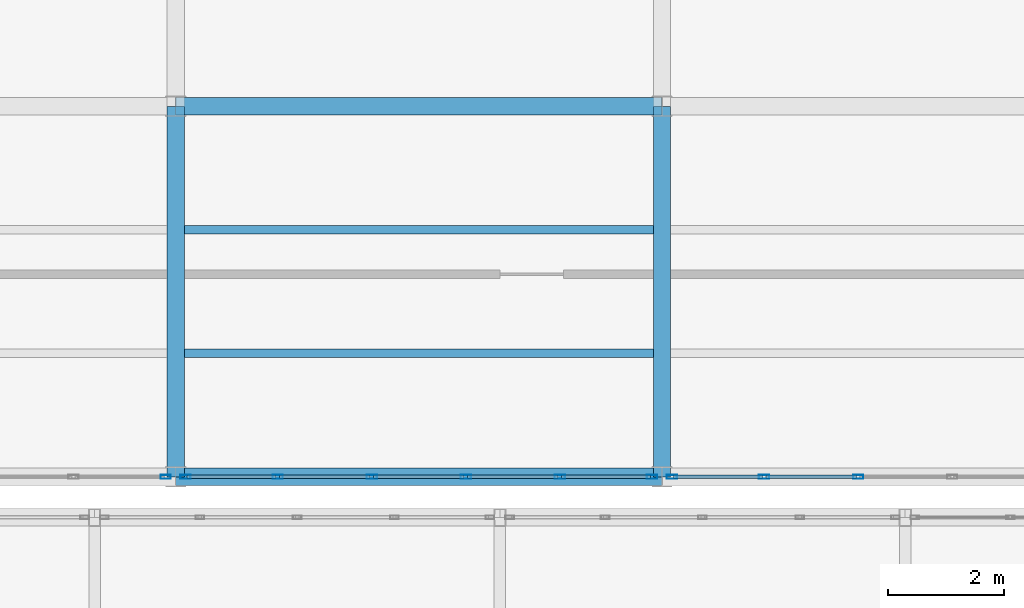
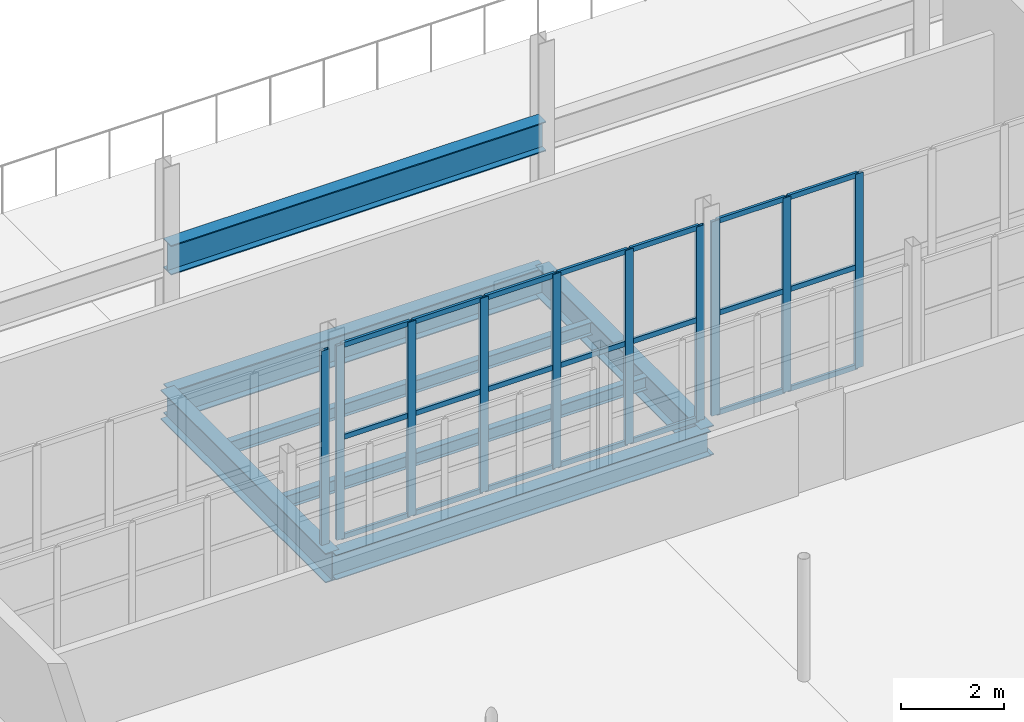
# One storey, part 75 of 218: 31 members, 7 beams, 3 elements without a shape of their own.
"""IFC4 building model written with IfcOpenShell, lengths in metres."""

from ifc_helpers import new_model, si_unit, direction, frame, origin, origin_2d, place, context, subcontext, project, spatial, hollow_rectangle, i_section, extrude, material, material_profile, profile_set, type_object, element, aggregate, save


model = new_model("IFC4")

# Units and contexts
model_context = context("Model", 3, precision=1e-05, world=origin(), true_north=direction((0.0, 1.0)))
body_context = subcontext(model_context, "Body", "Model", "MODEL_VIEW")
ifc_project = project(units=[si_unit("LENGTHUNIT", "METRE"), si_unit("AREAUNIT", "SQUARE_METRE"), si_unit("VOLUMEUNIT", "CUBIC_METRE"), si_unit("PLANEANGLEUNIT", "RADIAN"), si_unit("MASSUNIT", "GRAM", prefix="KILO")], contexts=[model_context])

# Site, building, storey
site_placement = place(None, origin())
site = spatial("IfcSite", under=ifc_project, at=site_placement, CompositionType="ELEMENT")
building_placement = place(site_placement, origin())
building = spatial("IfcBuilding", under=site, at=building_placement, Name="Kazenagashi Tramway Depot", CompositionType="ELEMENT")
storey_placement = place(building_placement, frame((0.0, 0.0, 6.0)))
storey = spatial("IfcBuildingStorey", under=building, at=storey_placement, Name="L02", CompositionType="ELEMENT", Elevation=6.0)

# Beams
ifc_material_1 = material(Name="Steel SN490B", Category="steel")
ifc_material_profile_1 = material_profile(ifc_material_1, i_section(OverallWidth=0.3, OverallDepth=0.7, WebThickness=0.013, FlangeThickness=0.024, at=origin_2d()), Name="H-700x300x13x24")
ifc_profile_set_1 = profile_set([ifc_material_profile_1], Name="Steel SN490B")
beam_type_1 = type_object("IfcBeamType", Name="G-02", PredefinedType="BEAM", material=ifc_profile_set_1)
beam_1_placement = place(storey_placement, frame((112.0, 22.9, -0.6), z_axis=(1.0, 0.0, 0.0), x_axis=(0.0, 1.0, 0.0)))
element("IfcBeam", 1, at=beam_1_placement, inside=storey, type_object=beam_type_1, Name="Beam G-02 BM-1014", PredefinedType="BEAM", context=body_context, shape_type="SweptSolid", body=[
    extrude(i_section(OverallWidth=0.3, OverallDepth=0.7, WebThickness=0.013, FlangeThickness=0.024, at=origin_2d()), origin(), (0.0, 0.0, 1.0), 8.4),
])
for number, where, z_axis, x_axis, name in (
    (2, (112.0, 16.5, -0.6), (0.0, 1.0, 0.0), (-1.0, 0.0, 0.0), "Beam G-02 BM-1077"),
    (3, (120.4, 16.5, -0.6), (0.0, 1.0, 0.0), (-1.0, 0.0, 0.0), "Beam G-02 BM-1083"),
):
    element("IfcBeam", number, at=place(storey_placement, frame(where, z_axis=z_axis, x_axis=x_axis)), inside=storey, type_object=beam_type_1, Name=name, PredefinedType="BEAM", context=body_context, shape_type="SweptSolid", body=[
        extrude(i_section(OverallWidth=0.3, OverallDepth=0.7, WebThickness=0.013, FlangeThickness=0.024, at=origin_2d()), origin(), (0.0, 0.0, 1.0), 6.4),
    ])
beam_2_placement = place(storey_placement, frame((112.0, 22.9, 2.85), z_axis=(1.0, 0.0, 0.0), x_axis=(0.0, 1.0, 0.0)))
element("IfcBeam", 4, at=beam_2_placement, inside=storey, type_object=beam_type_1, Name="Beam G-02 BM-1157", PredefinedType="BEAM", context=body_context, shape_type="SweptSolid", body=[
    extrude(i_section(OverallWidth=0.3, OverallDepth=0.7, WebThickness=0.013, FlangeThickness=0.024, at=origin_2d()), origin(), (0.0, 0.0, 1.0), 8.4),
])
ifc_material_2 = material(Name="Steel SN400B", Category="steel")
ifc_material_profile_2 = material_profile(ifc_material_2, i_section(OverallWidth=0.15, OverallDepth=0.3, WebThickness=0.0065, FlangeThickness=0.009, at=origin_2d()), Name="H-300x150x6.5x9")
ifc_profile_set_2 = profile_set([ifc_material_profile_2], Name="Steel SN400B")
beam_type_2 = type_object("IfcBeamType", Name="J-02", PredefinedType="JOIST", material=ifc_profile_set_2)
for number, where, z_axis, x_axis, name in (
    (5, (112.15, 18.633, -0.4), (1.0, 0.0, 0.0), (0.0, 1.0, 0.0), "Beam J-02 BM-1078"),
    (6, (112.15, 20.767, -0.4), (1.0, 0.0, 0.0), (0.0, 1.0, 0.0), "Beam J-02 BM-1079"),
):
    element("IfcBeam", number, at=place(storey_placement, frame(where, z_axis=z_axis, x_axis=x_axis)), inside=storey, type_object=beam_type_2, Name=name, PredefinedType="JOIST", context=body_context, shape_type="SweptSolid", body=[
        extrude(i_section(OverallWidth=0.15, OverallDepth=0.3, WebThickness=0.0065, FlangeThickness=0.009, at=origin_2d()), origin(), (0.0, 0.0, 1.0), 8.1),
    ])

# Curtain wall, member
ifc_material_3 = material(Name="Anodised Aluminium and Low-E Glazing", Category="aluminium")
curtain_wall_type = type_object("IfcCurtainWallType", Name="CW-20", PredefinedType="USERDEFINED", material=ifc_material_3)
curtain_wall_1_placement = place(storey_placement, origin())
curtain_wall_1 = element("IfcCurtainWall", 7, at=curtain_wall_1_placement, inside=storey, type_object=curtain_wall_type, Name="Industrial Glazed Screen CW-20 CW-0102", ObjectType="GLAZED SCREEN", PredefinedType="USERDEFINED")
ifc_material_4 = material(Name="Anodised Aluminium", Category="aluminium")
ifc_material_profile_3 = material_profile(ifc_material_4, hollow_rectangle(XDim=0.07, YDim=0.18, WallThickness=0.005, at=origin_2d()), Name="RHS-180x70x5")
ifc_profile_set_3 = profile_set([ifc_material_profile_3], Name="Anodised Aluminium")
member_type_1 = type_object("IfcMemberType", Name="ML-02", PredefinedType="MULLION", material=ifc_profile_set_3)
member_1_placement = place(storey_placement, frame((111.83, 16.5, 0.0), z_axis=(0.0, 0.0, 1.0), x_axis=(0.0, 1.0, 0.0)))
member_1 = element("IfcMember", 8, at=member_1_placement, type_object=member_type_1, Name="CW-20 mullion 6", PredefinedType="MULLION", context=body_context, shape_type="SweptSolid", body=[
    extrude(hollow_rectangle(XDim=0.07, YDim=0.18, WallThickness=0.005, at=origin_2d()), origin(), (0.0, 0.0, 1.0), 4.6),
])
aggregate(curtain_wall_1, [member_1])

# Curtain wall, members
curtain_wall_2_placement = place(storey_placement, origin())
curtain_wall_2 = element("IfcCurtainWall", 9, at=curtain_wall_2_placement, inside=storey, type_object=curtain_wall_type, Name="Industrial Glazed Screen CW-20 CW-0103", ObjectType="GLAZED SCREEN", PredefinedType="USERDEFINED")
member_2_placement = place(storey_placement, frame((112.17, 16.5, 0.0), z_axis=(0.0, 0.0, 1.0), x_axis=(0.0, 1.0, 0.0)))
member_2 = element("IfcMember", 10, at=member_2_placement, type_object=member_type_1, Name="CW-20 mullion 1", PredefinedType="MULLION", context=body_context, shape_type="SweptSolid", body=[
    extrude(hollow_rectangle(XDim=0.07, YDim=0.18, WallThickness=0.005, at=origin_2d()), origin(), (0.0, 0.0, 1.0), 4.6),
])
member_3_placement = place(storey_placement, frame((113.764, 16.5, 0.0), z_axis=(0.0, 0.0, 1.0), x_axis=(0.0, 1.0, 0.0)))
member_3 = element("IfcMember", 11, at=member_3_placement, type_object=member_type_1, Name="CW-20 mullion 2", PredefinedType="MULLION", context=body_context, shape_type="SweptSolid", body=[
    extrude(hollow_rectangle(XDim=0.07, YDim=0.18, WallThickness=0.005, at=origin_2d()), origin(), (0.0, 0.0, 1.0), 4.6),
])
member_4_placement = place(storey_placement, frame((115.388, 16.5, 0.0), z_axis=(0.0, 0.0, 1.0), x_axis=(0.0, 1.0, 0.0)))
member_4 = element("IfcMember", 12, at=member_4_placement, type_object=member_type_1, Name="CW-20 mullion 3", PredefinedType="MULLION", context=body_context, shape_type="SweptSolid", body=[
    extrude(hollow_rectangle(XDim=0.07, YDim=0.18, WallThickness=0.005, at=origin_2d()), origin(), (0.0, 0.0, 1.0), 4.6),
])
member_5_placement = place(storey_placement, frame((117.012, 16.5, 0.0), z_axis=(0.0, 0.0, 1.0), x_axis=(0.0, 1.0, 0.0)))
member_5 = element("IfcMember", 13, at=member_5_placement, type_object=member_type_1, Name="CW-20 mullion 4", PredefinedType="MULLION", context=body_context, shape_type="SweptSolid", body=[
    extrude(hollow_rectangle(XDim=0.07, YDim=0.18, WallThickness=0.005, at=origin_2d()), origin(), (0.0, 0.0, 1.0), 4.6),
])
member_6_placement = place(storey_placement, frame((118.636, 16.5, 0.0), z_axis=(0.0, 0.0, 1.0), x_axis=(0.0, 1.0, 0.0)))
member_6 = element("IfcMember", 14, at=member_6_placement, type_object=member_type_1, Name="CW-20 mullion 5", PredefinedType="MULLION", context=body_context, shape_type="SweptSolid", body=[
    extrude(hollow_rectangle(XDim=0.07, YDim=0.18, WallThickness=0.005, at=origin_2d()), origin(), (0.0, 0.0, 1.0), 4.6),
])
member_7_placement = place(storey_placement, frame((120.23, 16.5, 0.0), z_axis=(0.0, 0.0, 1.0), x_axis=(0.0, 1.0, 0.0)))
member_7 = element("IfcMember", 15, at=member_7_placement, type_object=member_type_1, Name="CW-20 mullion 6", PredefinedType="MULLION", context=body_context, shape_type="SweptSolid", body=[
    extrude(hollow_rectangle(XDim=0.07, YDim=0.18, WallThickness=0.005, at=origin_2d()), origin(), (0.0, 0.0, 1.0), 4.6),
])

curtain_wall_3_placement = place(storey_placement, origin())
curtain_wall_3 = element("IfcCurtainWall", 16, at=curtain_wall_3_placement, inside=storey, type_object=curtain_wall_type, Name="Industrial Glazed Screen CW-20 CW-0104", ObjectType="GLAZED SCREEN", PredefinedType="USERDEFINED")
member_8_placement = place(storey_placement, frame((120.57, 16.5, 0.0), z_axis=(0.0, 0.0, 1.0), x_axis=(0.0, 1.0, 0.0)))
member_8 = element("IfcMember", 17, at=member_8_placement, type_object=member_type_1, Name="CW-20 mullion 1", PredefinedType="MULLION", context=body_context, shape_type="SweptSolid", body=[
    extrude(hollow_rectangle(XDim=0.07, YDim=0.18, WallThickness=0.005, at=origin_2d()), origin(), (0.0, 0.0, 1.0), 4.6),
])
member_9_placement = place(storey_placement, frame((122.164, 16.5, 0.0), z_axis=(0.0, 0.0, 1.0), x_axis=(0.0, 1.0, 0.0)))
member_9 = element("IfcMember", 18, at=member_9_placement, type_object=member_type_1, Name="CW-20 mullion 2", PredefinedType="MULLION", context=body_context, shape_type="SweptSolid", body=[
    extrude(hollow_rectangle(XDim=0.07, YDim=0.18, WallThickness=0.005, at=origin_2d()), origin(), (0.0, 0.0, 1.0), 4.6),
])
member_10_placement = place(storey_placement, frame((123.788, 16.5, 0.0), z_axis=(0.0, 0.0, 1.0), x_axis=(0.0, 1.0, 0.0)))
member_10 = element("IfcMember", 19, at=member_10_placement, type_object=member_type_1, Name="CW-20 mullion 3", PredefinedType="MULLION", context=body_context, shape_type="SweptSolid", body=[
    extrude(hollow_rectangle(XDim=0.07, YDim=0.18, WallThickness=0.005, at=origin_2d()), origin(), (0.0, 0.0, 1.0), 4.6),
])

# Beam
ifc_material_profile_4 = material_profile(ifc_material_1, i_section(OverallWidth=0.3, OverallDepth=0.588, WebThickness=0.012, FlangeThickness=0.02, at=origin_2d()), Name="H-588x300x12x20")
ifc_profile_set_4 = profile_set([ifc_material_profile_4], Name="Steel SN490B")
beam_type_3 = type_object("IfcBeamType", Name="SP-01", PredefinedType="SPANDREL", material=ifc_profile_set_4)
beam_3_placement = place(storey_placement, frame((112.0, 16.5, -0.544), z_axis=(1.0, 0.0, 0.0), x_axis=(0.0, 1.0, 0.0)))
element("IfcBeam", 20, at=beam_3_placement, inside=storey, type_object=beam_type_3, Name="Beam SP-01 BM-1002", PredefinedType="SPANDREL", context=body_context, shape_type="SweptSolid", body=[
    extrude(i_section(OverallWidth=0.3, OverallDepth=0.588, WebThickness=0.012, FlangeThickness=0.02, at=origin_2d()), origin(), (0.0, 0.0, 1.0), 8.4),
])

# Member
ifc_material_profile_5 = material_profile(ifc_material_4, hollow_rectangle(XDim=0.06, YDim=0.12, WallThickness=0.004, at=origin_2d()), Name="RHS-120x60x4")
ifc_profile_set_5 = profile_set([ifc_material_profile_5], Name="Anodised Aluminium")
member_type_2 = type_object("IfcMemberType", Name="TR-01", PredefinedType="USERDEFINED", material=ifc_profile_set_5)
member_11_placement = place(storey_placement, frame((112.2, 16.5, 0.03), z_axis=(1.0, 0.0, 0.0), x_axis=(0.0, 1.0, 0.0)))
member_11 = element("IfcMember", 21, at=member_11_placement, type_object=member_type_2, Name="CW-20 transom 1.1", ObjectType="TRANSOM", PredefinedType="USERDEFINED", context=body_context, shape_type="SweptSolid", body=[
    extrude(hollow_rectangle(XDim=0.06, YDim=0.12, WallThickness=0.004, at=origin_2d()), origin(), (0.0, 0.0, 1.0), 1.534),
])

member_12_placement = place(storey_placement, frame((112.2, 16.5, 2.392), z_axis=(1.0, 0.0, 0.0), x_axis=(0.0, 1.0, 0.0)))
member_12 = element("IfcMember", 22, at=member_12_placement, type_object=member_type_2, Name="CW-20 transom 1.2", ObjectType="TRANSOM", PredefinedType="USERDEFINED", context=body_context, shape_type="SweptSolid", body=[
    extrude(hollow_rectangle(XDim=0.06, YDim=0.12, WallThickness=0.004, at=origin_2d()), origin(), (0.0, 0.0, 1.0), 1.534),
])

member_13_placement = place(storey_placement, frame((112.2, 16.5, 4.57), z_axis=(1.0, 0.0, 0.0), x_axis=(0.0, 1.0, 0.0)))
member_13 = element("IfcMember", 23, at=member_13_placement, type_object=member_type_2, Name="CW-20 transom 1.3", ObjectType="TRANSOM", PredefinedType="USERDEFINED", context=body_context, shape_type="SweptSolid", body=[
    extrude(hollow_rectangle(XDim=0.06, YDim=0.12, WallThickness=0.004, at=origin_2d()), origin(), (0.0, 0.0, 1.0), 1.534),
])

member_14_placement = place(storey_placement, frame((113.794, 16.5, 0.03), z_axis=(1.0, 0.0, 0.0), x_axis=(0.0, 1.0, 0.0)))
member_14 = element("IfcMember", 24, at=member_14_placement, type_object=member_type_2, Name="CW-20 transom 2.1", ObjectType="TRANSOM", PredefinedType="USERDEFINED", context=body_context, shape_type="SweptSolid", body=[
    extrude(hollow_rectangle(XDim=0.06, YDim=0.12, WallThickness=0.004, at=origin_2d()), origin(), (0.0, 0.0, 1.0), 1.564),
])

member_15_placement = place(storey_placement, frame((113.794, 16.5, 2.392), z_axis=(1.0, 0.0, 0.0), x_axis=(0.0, 1.0, 0.0)))
member_15 = element("IfcMember", 25, at=member_15_placement, type_object=member_type_2, Name="CW-20 transom 2.2", ObjectType="TRANSOM", PredefinedType="USERDEFINED", context=body_context, shape_type="SweptSolid", body=[
    extrude(hollow_rectangle(XDim=0.06, YDim=0.12, WallThickness=0.004, at=origin_2d()), origin(), (0.0, 0.0, 1.0), 1.564),
])

member_16_placement = place(storey_placement, frame((113.794, 16.5, 4.57), z_axis=(1.0, 0.0, 0.0), x_axis=(0.0, 1.0, 0.0)))
member_16 = element("IfcMember", 26, at=member_16_placement, type_object=member_type_2, Name="CW-20 transom 2.3", ObjectType="TRANSOM", PredefinedType="USERDEFINED", context=body_context, shape_type="SweptSolid", body=[
    extrude(hollow_rectangle(XDim=0.06, YDim=0.12, WallThickness=0.004, at=origin_2d()), origin(), (0.0, 0.0, 1.0), 1.564),
])

member_17_placement = place(storey_placement, frame((115.418, 16.5, 0.03), z_axis=(1.0, 0.0, 0.0), x_axis=(0.0, 1.0, 0.0)))
member_17 = element("IfcMember", 27, at=member_17_placement, type_object=member_type_2, Name="CW-20 transom 3.1", ObjectType="TRANSOM", PredefinedType="USERDEFINED", context=body_context, shape_type="SweptSolid", body=[
    extrude(hollow_rectangle(XDim=0.06, YDim=0.12, WallThickness=0.004, at=origin_2d()), origin(), (0.0, 0.0, 1.0), 1.564),
])

member_18_placement = place(storey_placement, frame((115.418, 16.5, 2.392), z_axis=(1.0, 0.0, 0.0), x_axis=(0.0, 1.0, 0.0)))
member_18 = element("IfcMember", 28, at=member_18_placement, type_object=member_type_2, Name="CW-20 transom 3.2", ObjectType="TRANSOM", PredefinedType="USERDEFINED", context=body_context, shape_type="SweptSolid", body=[
    extrude(hollow_rectangle(XDim=0.06, YDim=0.12, WallThickness=0.004, at=origin_2d()), origin(), (0.0, 0.0, 1.0), 1.564),
])

member_19_placement = place(storey_placement, frame((115.418, 16.5, 4.57), z_axis=(1.0, 0.0, 0.0), x_axis=(0.0, 1.0, 0.0)))
member_19 = element("IfcMember", 29, at=member_19_placement, type_object=member_type_2, Name="CW-20 transom 3.3", ObjectType="TRANSOM", PredefinedType="USERDEFINED", context=body_context, shape_type="SweptSolid", body=[
    extrude(hollow_rectangle(XDim=0.06, YDim=0.12, WallThickness=0.004, at=origin_2d()), origin(), (0.0, 0.0, 1.0), 1.564),
])

member_20_placement = place(storey_placement, frame((117.042, 16.5, 0.03), z_axis=(1.0, 0.0, 0.0), x_axis=(0.0, 1.0, 0.0)))
member_20 = element("IfcMember", 30, at=member_20_placement, type_object=member_type_2, Name="CW-20 transom 4.1", ObjectType="TRANSOM", PredefinedType="USERDEFINED", context=body_context, shape_type="SweptSolid", body=[
    extrude(hollow_rectangle(XDim=0.06, YDim=0.12, WallThickness=0.004, at=origin_2d()), origin(), (0.0, 0.0, 1.0), 1.564),
])

member_21_placement = place(storey_placement, frame((117.042, 16.5, 2.392), z_axis=(1.0, 0.0, 0.0), x_axis=(0.0, 1.0, 0.0)))
member_21 = element("IfcMember", 31, at=member_21_placement, type_object=member_type_2, Name="CW-20 transom 4.2", ObjectType="TRANSOM", PredefinedType="USERDEFINED", context=body_context, shape_type="SweptSolid", body=[
    extrude(hollow_rectangle(XDim=0.06, YDim=0.12, WallThickness=0.004, at=origin_2d()), origin(), (0.0, 0.0, 1.0), 1.564),
])

member_22_placement = place(storey_placement, frame((117.042, 16.5, 4.57), z_axis=(1.0, 0.0, 0.0), x_axis=(0.0, 1.0, 0.0)))
member_22 = element("IfcMember", 32, at=member_22_placement, type_object=member_type_2, Name="CW-20 transom 4.3", ObjectType="TRANSOM", PredefinedType="USERDEFINED", context=body_context, shape_type="SweptSolid", body=[
    extrude(hollow_rectangle(XDim=0.06, YDim=0.12, WallThickness=0.004, at=origin_2d()), origin(), (0.0, 0.0, 1.0), 1.564),
])

member_23_placement = place(storey_placement, frame((118.666, 16.5, 0.03), z_axis=(1.0, 0.0, 0.0), x_axis=(0.0, 1.0, 0.0)))
member_23 = element("IfcMember", 33, at=member_23_placement, type_object=member_type_2, Name="CW-20 transom 5.1", ObjectType="TRANSOM", PredefinedType="USERDEFINED", context=body_context, shape_type="SweptSolid", body=[
    extrude(hollow_rectangle(XDim=0.06, YDim=0.12, WallThickness=0.004, at=origin_2d()), origin(), (0.0, 0.0, 1.0), 1.534),
])

member_24_placement = place(storey_placement, frame((118.666, 16.5, 2.392), z_axis=(1.0, 0.0, 0.0), x_axis=(0.0, 1.0, 0.0)))
member_24 = element("IfcMember", 34, at=member_24_placement, type_object=member_type_2, Name="CW-20 transom 5.2", ObjectType="TRANSOM", PredefinedType="USERDEFINED", context=body_context, shape_type="SweptSolid", body=[
    extrude(hollow_rectangle(XDim=0.06, YDim=0.12, WallThickness=0.004, at=origin_2d()), origin(), (0.0, 0.0, 1.0), 1.534),
])

member_25_placement = place(storey_placement, frame((118.666, 16.5, 4.57), z_axis=(1.0, 0.0, 0.0), x_axis=(0.0, 1.0, 0.0)))
member_25 = element("IfcMember", 35, at=member_25_placement, type_object=member_type_2, Name="CW-20 transom 5.3", ObjectType="TRANSOM", PredefinedType="USERDEFINED", context=body_context, shape_type="SweptSolid", body=[
    extrude(hollow_rectangle(XDim=0.06, YDim=0.12, WallThickness=0.004, at=origin_2d()), origin(), (0.0, 0.0, 1.0), 1.534),
])

aggregate(curtain_wall_2, [member_2, member_3, member_4, member_5, member_6, member_7, member_11, member_12, member_13, member_14, member_15, member_16, member_17, member_18, member_19, member_20, member_21, member_22, member_23, member_24, member_25])

member_26_placement = place(storey_placement, frame((120.6, 16.5, 0.03), z_axis=(1.0, 0.0, 0.0), x_axis=(0.0, 1.0, 0.0)))
member_26 = element("IfcMember", 36, at=member_26_placement, type_object=member_type_2, Name="CW-20 transom 1.1", ObjectType="TRANSOM", PredefinedType="USERDEFINED", context=body_context, shape_type="SweptSolid", body=[
    extrude(hollow_rectangle(XDim=0.06, YDim=0.12, WallThickness=0.004, at=origin_2d()), origin(), (0.0, 0.0, 1.0), 1.534),
])

member_27_placement = place(storey_placement, frame((120.6, 16.5, 2.392), z_axis=(1.0, 0.0, 0.0), x_axis=(0.0, 1.0, 0.0)))
member_27 = element("IfcMember", 37, at=member_27_placement, type_object=member_type_2, Name="CW-20 transom 1.2", ObjectType="TRANSOM", PredefinedType="USERDEFINED", context=body_context, shape_type="SweptSolid", body=[
    extrude(hollow_rectangle(XDim=0.06, YDim=0.12, WallThickness=0.004, at=origin_2d()), origin(), (0.0, 0.0, 1.0), 1.534),
])

member_28_placement = place(storey_placement, frame((120.6, 16.5, 4.57), z_axis=(1.0, 0.0, 0.0), x_axis=(0.0, 1.0, 0.0)))
member_28 = element("IfcMember", 38, at=member_28_placement, type_object=member_type_2, Name="CW-20 transom 1.3", ObjectType="TRANSOM", PredefinedType="USERDEFINED", context=body_context, shape_type="SweptSolid", body=[
    extrude(hollow_rectangle(XDim=0.06, YDim=0.12, WallThickness=0.004, at=origin_2d()), origin(), (0.0, 0.0, 1.0), 1.534),
])

member_29_placement = place(storey_placement, frame((122.194, 16.5, 0.03), z_axis=(1.0, 0.0, 0.0), x_axis=(0.0, 1.0, 0.0)))
member_29 = element("IfcMember", 39, at=member_29_placement, type_object=member_type_2, Name="CW-20 transom 2.1", ObjectType="TRANSOM", PredefinedType="USERDEFINED", context=body_context, shape_type="SweptSolid", body=[
    extrude(hollow_rectangle(XDim=0.06, YDim=0.12, WallThickness=0.004, at=origin_2d()), origin(), (0.0, 0.0, 1.0), 1.564),
])

member_30_placement = place(storey_placement, frame((122.194, 16.5, 2.392), z_axis=(1.0, 0.0, 0.0), x_axis=(0.0, 1.0, 0.0)))
member_30 = element("IfcMember", 40, at=member_30_placement, type_object=member_type_2, Name="CW-20 transom 2.2", ObjectType="TRANSOM", PredefinedType="USERDEFINED", context=body_context, shape_type="SweptSolid", body=[
    extrude(hollow_rectangle(XDim=0.06, YDim=0.12, WallThickness=0.004, at=origin_2d()), origin(), (0.0, 0.0, 1.0), 1.564),
])

member_31_placement = place(storey_placement, frame((122.194, 16.5, 4.57), z_axis=(1.0, 0.0, 0.0), x_axis=(0.0, 1.0, 0.0)))
member_31 = element("IfcMember", 41, at=member_31_placement, type_object=member_type_2, Name="CW-20 transom 2.3", ObjectType="TRANSOM", PredefinedType="USERDEFINED", context=body_context, shape_type="SweptSolid", body=[
    extrude(hollow_rectangle(XDim=0.06, YDim=0.12, WallThickness=0.004, at=origin_2d()), origin(), (0.0, 0.0, 1.0), 1.564),
])

aggregate(curtain_wall_3, [member_8, member_9, member_10, member_26, member_27, member_28, member_29, member_30, member_31])

save(model, "model.ifc")
